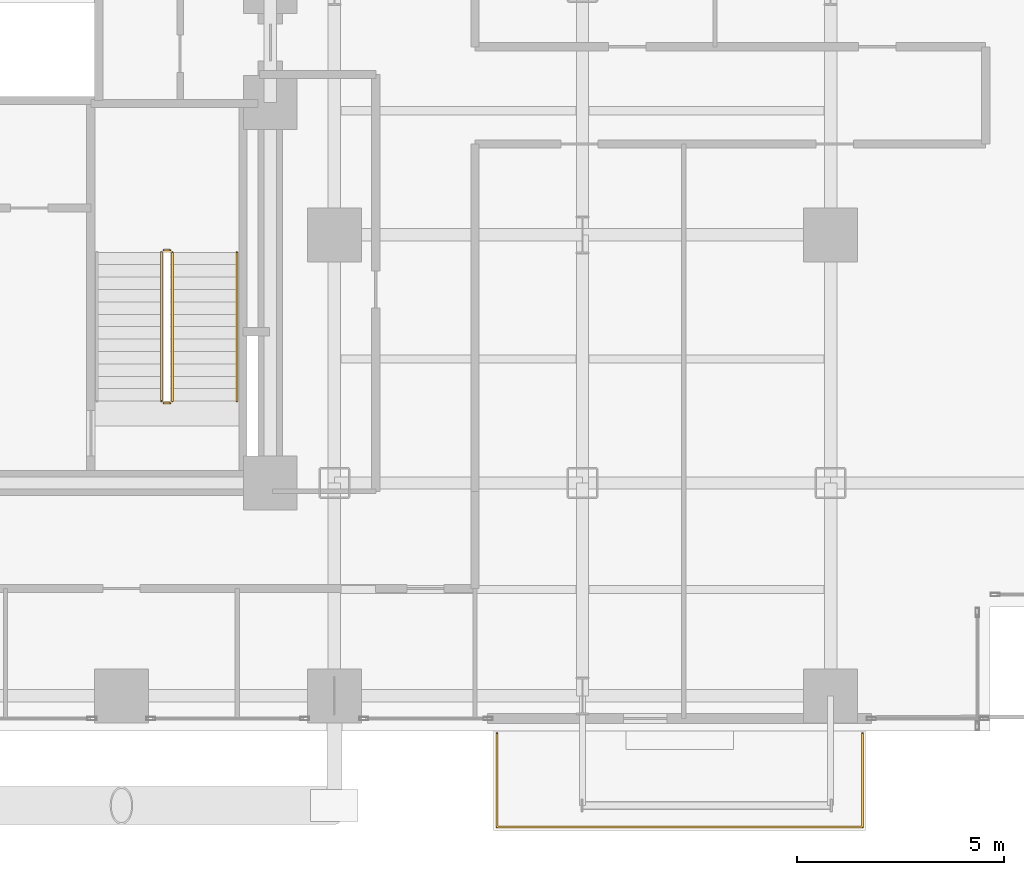
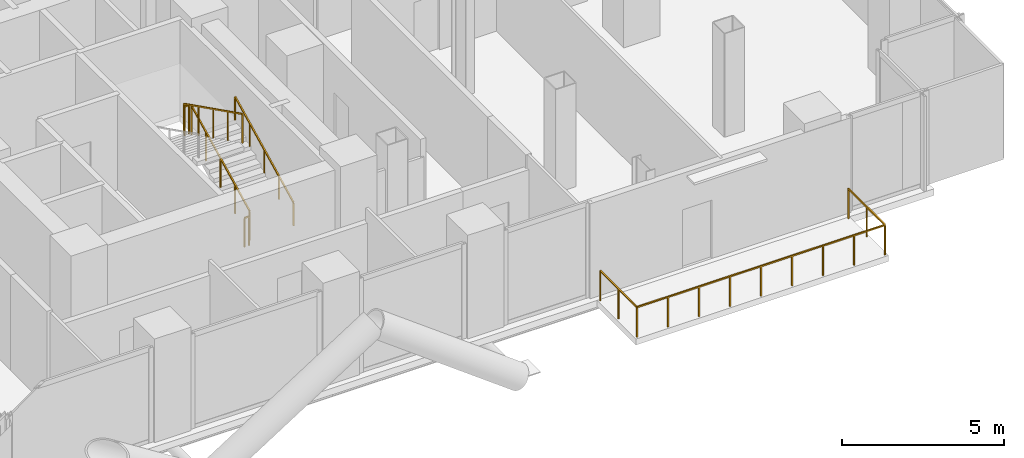
# One storey, part 26 of 27: 6 railings.
"""IFC4 building model written with IfcOpenShell, lengths in metres."""

from ifc_helpers import new_model, si_unit, direction, frame, origin, origin_2d, place, context, subcontext, project, spatial, rectangle, extrude, material, type_object, element, save


model = new_model("IFC4")

# Units and contexts
model_context = context("Model", 3, precision=1e-05, world=origin(), true_north=direction((0.0, 1.0)))
body_context = subcontext(model_context, "Body", "Model", "MODEL_VIEW")
ifc_project = project(units=[si_unit("LENGTHUNIT", "METRE"), si_unit("AREAUNIT", "SQUARE_METRE"), si_unit("VOLUMEUNIT", "CUBIC_METRE"), si_unit("PLANEANGLEUNIT", "RADIAN"), si_unit("MASSUNIT", "GRAM", prefix="KILO"), si_unit("THERMODYNAMICTEMPERATUREUNIT", "KELVIN"), si_unit("POWERUNIT", "WATT")], contexts=[model_context])

# Site, building, storey
site_placement = place(None, origin())
site = spatial("IfcSite", under=ifc_project, at=site_placement, CompositionType="ELEMENT")
building_placement = place(site_placement, origin())
building = spatial("IfcBuilding", under=site, at=building_placement, Name="Svarakhadi Broadcast Tower", CompositionType="ELEMENT")
storey_placement = place(building_placement, frame((0.0, 0.0, 90.89990234375)))
storey = spatial("IfcBuildingStorey", under=building, at=storey_placement, Name="L21", CompositionType="ELEMENT", Elevation=90.89990234375)

# Railings
ifc_material_1 = material(Name="Laminated Structural SentryGlas Balustrade 25.5 mm", Category="glass")
railing_type_1 = type_object("IfcRailingType", Name="Guard_Balcony_GR01", PredefinedType="BALUSTRADE", material=ifc_material_1)
railing_1_placement = place(storey_placement, frame((39.080078125, -0.06005859375, 0.0)))
element("IfcRailing", 1, at=railing_1_placement, inside=storey, type_object=railing_type_1, Name="L21 South Tree Balcony Guard GR-05", PredefinedType="BALUSTRADE", context=body_context, shape_type="SweptSolid", body=[
    extrude(rectangle(XDim=0.048095703125, YDim=0.048095703125, at=origin_2d()), frame((0.0, 0.0, 1.1259765625), z_axis=(0.0, -1.0, 0.0), x_axis=(1.0, 0.0, 0.0)), (0.0, 0.0, 1.0), 2.260009765625),
    extrude(rectangle(XDim=0.048095703125, YDim=0.048095703125, at=origin_2d()), frame((0.0, -2.260009765625, 1.1259765625), z_axis=(1.0, 0.0, 0.0), x_axis=(0.0, 1.0, 0.0)), (0.0, 0.0, 1.0), 8.83984375),
    extrude(rectangle(XDim=0.048095703125, YDim=0.048095703125, at=origin_2d()), frame((8.83984375, -2.260009765625, 1.1259765625), z_axis=(0.0, 1.0, 0.0), x_axis=(-1.0, 0.0, 0.0)), (0.0, 0.0, 1.0), 2.260009765625),
    extrude(rectangle(XDim=0.0419921875, YDim=0.0419921875, at=origin_2d()), origin(), (0.0, 0.0, 1.0), 1.101806640625),
    extrude(rectangle(XDim=0.0419921875, YDim=0.0419921875, at=origin_2d()), frame((0.0, -1.1298828125, 0.0)), (0.0, 0.0, 1.0), 1.101806640625),
    extrude(rectangle(XDim=0.0419921875, YDim=0.0419921875, at=origin_2d()), frame((0.0, -2.260009765625, 0.0)), (0.0, 0.0, 1.0), 1.101806640625),
    extrude(rectangle(XDim=0.0419921875, YDim=0.0419921875, at=origin_2d()), frame((1.10498046875, -2.260009765625, 0.0)), (0.0, 0.0, 1.0), 1.101806640625),
    extrude(rectangle(XDim=0.0419921875, YDim=0.0419921875, at=origin_2d()), frame((2.2099609375, -2.260009765625, 0.0)), (0.0, 0.0, 1.0), 1.101806640625),
    extrude(rectangle(XDim=0.0419921875, YDim=0.0419921875, at=origin_2d()), frame((3.31494140625, -2.260009765625, 0.0)), (0.0, 0.0, 1.0), 1.101806640625),
    extrude(rectangle(XDim=0.0419921875, YDim=0.0419921875, at=origin_2d()), frame((4.419921875, -2.260009765625, 0.0)), (0.0, 0.0, 1.0), 1.101806640625),
    extrude(rectangle(XDim=0.0419921875, YDim=0.0419921875, at=origin_2d()), frame((5.52490234375, -2.260009765625, 0.0)), (0.0, 0.0, 1.0), 1.101806640625),
    extrude(rectangle(XDim=0.0419921875, YDim=0.0419921875, at=origin_2d()), frame((6.6298828125, -2.260009765625, 0.0)), (0.0, 0.0, 1.0), 1.101806640625),
    extrude(rectangle(XDim=0.0419921875, YDim=0.0419921875, at=origin_2d()), frame((7.73486328125, -2.260009765625, 0.0)), (0.0, 0.0, 1.0), 1.101806640625),
    extrude(rectangle(XDim=0.0419921875, YDim=0.0419921875, at=origin_2d()), frame((8.83984375, -2.260009765625, 0.0)), (0.0, 0.0, 1.0), 1.101806640625),
    extrude(rectangle(XDim=0.0419921875, YDim=0.0419921875, at=origin_2d()), frame((8.83984375, -1.1298828125, 0.0)), (0.0, 0.0, 1.0), 1.101806640625),
    extrude(rectangle(XDim=0.0419921875, YDim=0.0419921875, at=origin_2d()), frame((8.83984375, 0.0, 0.0)), (0.0, 0.0, 1.0), 1.101806640625),
])
ifc_material_2 = material(Name="Anodised Bronze Aluminium AA 6063-T6", Category="aluminium")
railing_type_2 = type_object("IfcRailingType", Name="Guard_Stair_GR01", PredefinedType="GUARDRAIL", material=ifc_material_2)
railing_2_placement = place(storey_placement, frame((31.22998046875, 7.97998046875, 0.150146484375)))
element("IfcRailing", 2, at=railing_2_placement, inside=storey, type_object=railing_type_2, Name="L21 ST-02 stair guard 1", PredefinedType="GUARDRAIL", context=body_context, shape_type="SweptSolid", body=[
    extrude(rectangle(XDim=0.048095703125, YDim=0.048095703125, at=origin_2d()), frame((0.0, 0.0, 1.09619140625), z_axis=(0.0, 0.894427191, 0.4472135955), x_axis=(-1.0, 0.0, 0.0)), (0.0, 0.0, 1.0), 4.025146484375),
    extrude(rectangle(XDim=0.0419921875, YDim=0.0419921875, at=origin_2d()), origin(), (0.0, 0.0, 1.0), 1.072021484375),
    extrude(rectangle(XDim=0.0419921875, YDim=0.0419921875, at=origin_2d()), frame((0.0, 0.89990234375, 0.449951171875)), (0.0, 0.0, 1.0), 1.072021484375),
    extrude(rectangle(XDim=0.0419921875, YDim=0.0419921875, at=origin_2d()), frame((0.0, 1.800048828125, 0.89990234375)), (0.0, 0.0, 1.0), 1.072021484375),
    extrude(rectangle(XDim=0.0419921875, YDim=0.0419921875, at=origin_2d()), frame((0.0, 2.7001953125, 1.35009765625)), (0.0, 0.0, 1.0), 1.072021484375),
    extrude(rectangle(XDim=0.0419921875, YDim=0.0419921875, at=origin_2d()), frame((0.0, 3.60009765625, 1.800048828125)), (0.0, 0.0, 1.0), 1.072021484375),
])
railing_3_placement = place(storey_placement, frame((31.179931640625, 11.6298828125, 1.9501953125)))
element("IfcRailing", 3, at=railing_3_placement, inside=storey, type_object=railing_type_2, Name="L21 ST-02 stair guard 2", PredefinedType="GUARDRAIL", context=body_context, shape_type="SweptSolid", body=[
    extrude(rectangle(XDim=0.048095703125, YDim=0.048095703125, at=origin_2d()), frame((0.0, 0.0, 1.09619140625), z_axis=(-1.0, 0.0, 0.0), x_axis=(0.0, -1.0, 0.0)), (0.0, 0.0, 1.0), 0.159912109375),
    extrude(rectangle(XDim=0.0419921875, YDim=0.0419921875, at=origin_2d()), origin(), (0.0, 0.0, 1.0), 1.072021484375),
    extrude(rectangle(XDim=0.0419921875, YDim=0.0419921875, at=origin_2d()), frame((-0.159912109375, 0.0, 0.0)), (0.0, 0.0, 1.0), 1.072021484375),
])
railing_4_placement = place(storey_placement, frame((30.969970703125, 11.580078125, 2.10009765625)))
element("IfcRailing", 4, at=railing_4_placement, inside=storey, type_object=railing_type_2, Name="L21 ST-02 stair guard 3", PredefinedType="GUARDRAIL", context=body_context, shape_type="SweptSolid", body=[
    extrude(rectangle(XDim=0.048095703125, YDim=0.048095703125, at=origin_2d()), frame((0.0, 0.0, 1.09619140625), z_axis=(0.0, -0.894427191, 0.4472135955), x_axis=(1.0, 0.0, 0.0)), (0.0, 0.0, 1.0), 4.025146484375),
    extrude(rectangle(XDim=0.0419921875, YDim=0.0419921875, at=origin_2d()), origin(), (0.0, 0.0, 1.0), 1.072021484375),
    extrude(rectangle(XDim=0.0419921875, YDim=0.0419921875, at=origin_2d()), frame((0.0, -0.89990234375, 0.449951171875)), (0.0, 0.0, 1.0), 1.072021484375),
    extrude(rectangle(XDim=0.0419921875, YDim=0.0419921875, at=origin_2d()), frame((0.0, -1.800048828125, 0.89990234375)), (0.0, 0.0, 1.0), 1.072021484375),
    extrude(rectangle(XDim=0.0419921875, YDim=0.0419921875, at=origin_2d()), frame((0.0, -2.7001953125, 1.35009765625)), (0.0, 0.0, 1.0), 1.072021484375),
    extrude(rectangle(XDim=0.0419921875, YDim=0.0419921875, at=origin_2d()), frame((0.0, -3.60009765625, 1.800048828125)), (0.0, 0.0, 1.0), 1.072021484375),
])
railing_5_placement = place(storey_placement, frame((31.179931640625, 7.929931640625, 0.0)))
element("IfcRailing", 5, at=railing_5_placement, inside=storey, type_object=railing_type_2, Name="L21 ST-02 stair guard 4", PredefinedType="GUARDRAIL", context=body_context, shape_type="SweptSolid", body=[
    extrude(rectangle(XDim=0.048095703125, YDim=0.048095703125, at=origin_2d()), frame((0.0, 0.0, 1.09619140625), z_axis=(-1.0, 0.0, 0.0), x_axis=(0.0, -1.0, 0.0)), (0.0, 0.0, 1.0), 0.159912109375),
    extrude(rectangle(XDim=0.0419921875, YDim=0.0419921875, at=origin_2d()), origin(), (0.0, 0.0, 1.0), 1.072021484375),
    extrude(rectangle(XDim=0.0419921875, YDim=0.0419921875, at=origin_2d()), frame((-0.159912109375, 0.0, 0.0)), (0.0, 0.0, 1.0), 1.072021484375),
])
railing_type_3 = type_object("IfcRailingType", Name="Handrail_Stair_HR01", PredefinedType="HANDRAIL", material=ifc_material_2)
railing_6_placement = place(storey_placement, frame((32.7900390625, 7.97998046875, 0.150146484375)))
element("IfcRailing", 6, at=railing_6_placement, inside=storey, type_object=railing_type_3, Name="L21 ST-02 stair handrail 1", PredefinedType="HANDRAIL", context=body_context, shape_type="SweptSolid", body=[
    extrude(rectangle(XDim=0.048095703125, YDim=0.048095703125, at=origin_2d()), frame((0.0, 0.0, 0.8759765625), z_axis=(0.0, 0.894427191, 0.4472135955), x_axis=(-1.0, 0.0, 0.0)), (0.0, 0.0, 1.0), 4.025146484375),
    extrude(rectangle(XDim=0.0419921875, YDim=0.0419921875, at=origin_2d()), origin(), (0.0, 0.0, 1.0), 0.851806640625),
    extrude(rectangle(XDim=0.0419921875, YDim=0.0419921875, at=origin_2d()), frame((0.0, 0.89990234375, 0.449951171875)), (0.0, 0.0, 1.0), 0.851806640625),
    extrude(rectangle(XDim=0.0419921875, YDim=0.0419921875, at=origin_2d()), frame((0.0, 1.800048828125, 0.89990234375)), (0.0, 0.0, 1.0), 0.851806640625),
    extrude(rectangle(XDim=0.0419921875, YDim=0.0419921875, at=origin_2d()), frame((0.0, 2.7001953125, 1.35009765625)), (0.0, 0.0, 1.0), 0.851806640625),
    extrude(rectangle(XDim=0.0419921875, YDim=0.0419921875, at=origin_2d()), frame((0.0, 3.60009765625, 1.800048828125)), (0.0, 0.0, 1.0), 0.851806640625),
])

save(model, "model.ifc")
